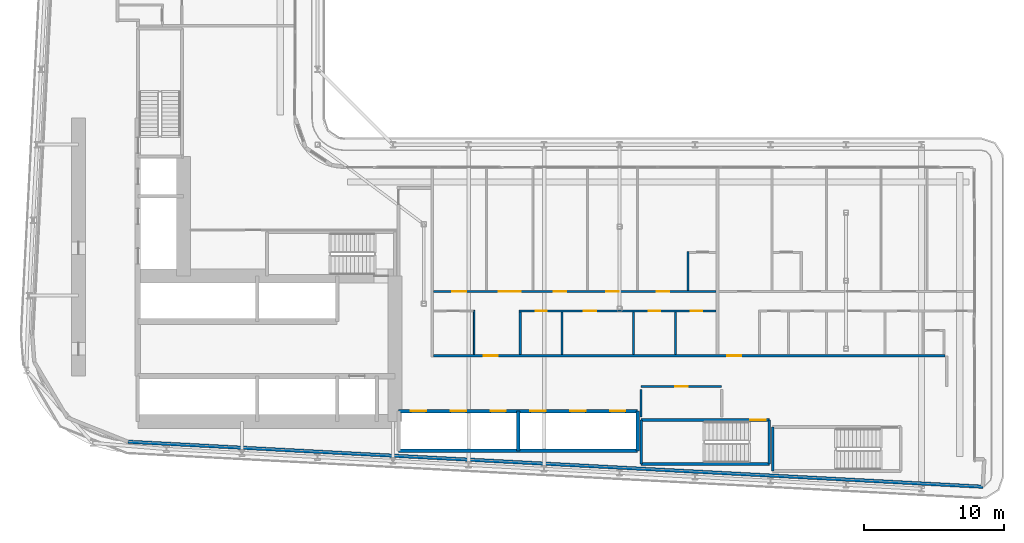
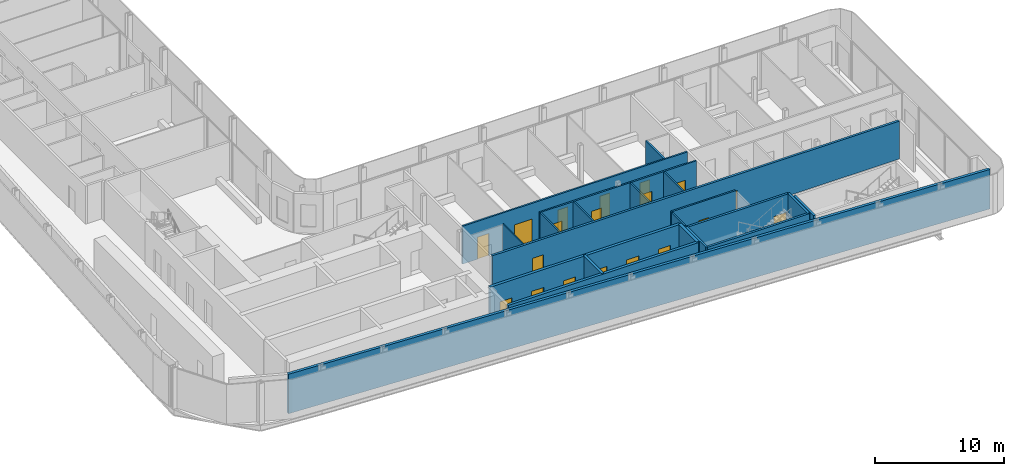
# One storey, part 14 of 27: 21 walls, 19 doors, 19 openings.
"""IFC4 building model written with IfcOpenShell, lengths in metres."""

from ifc_helpers import new_model, si_unit, direction, frame, frame_2d, origin, place, context, subcontext, project, spatial, rectangle, extrude, source, transform, mapped, material, layer, layer_set, type_object, element, fill, save


model = new_model("IFC4")

# Units and contexts
model_context = context("Model", 3, precision=1e-05, world=origin(), true_north=direction((0.0, 1.0)))
body_context = subcontext(model_context, "Body", "Model", "MODEL_VIEW")
ifc_project = project(units=[si_unit("LENGTHUNIT", "METRE"), si_unit("AREAUNIT", "SQUARE_METRE"), si_unit("VOLUMEUNIT", "CUBIC_METRE"), si_unit("PLANEANGLEUNIT", "RADIAN"), si_unit("MASSUNIT", "GRAM", prefix="KILO")], contexts=[model_context])

# Site, building, storey
site_placement = place(None, origin())
site = spatial("IfcSite", under=ifc_project, at=site_placement, CompositionType="ELEMENT")
building_placement = place(site_placement, origin())
building = spatial("IfcBuilding", under=site, at=building_placement, Name="Kheshtan School and Residences Tower", CompositionType="ELEMENT")
storey_placement = place(building_placement, frame((0.0, 0.0, 50.0)))
storey = spatial("IfcBuildingStorey", under=building, at=storey_placement, Name="L11", CompositionType="ELEMENT", Elevation=50.0)

# Wall, openings, doors
ifc_material_1 = material(Name="Gypsum board on steel studs with fire boards", Category="steel")
ifc_layer_1 = layer(ifc_material_1, 0.199951171875)
ifc_layer_set_1 = layer_set([ifc_layer_1], Name="Corridor wall 200")
wall_type_1 = type_object("IfcWallType", Name="Corridor wall 200", PredefinedType="PARTITIONING", material=ifc_layer_set_1)
wall_1_placement = place(storey_placement, frame((55.89990234375, 30.5, 0.0), z_axis=(0.0, 0.0, 1.0), x_axis=(1.0, 0.0, 0.0)))
wall_1 = element("IfcWall", 1, at=wall_1_placement, inside=storey, type_object=wall_type_1, Name="Partition L11-048", PredefinedType="PARTITIONING", context=body_context, shape_type="SweptSolid", body=[
    extrude(rectangle(XDim=36.5751953125, YDim=0.199951171875, at=frame_2d((18.28759765625, 0.0))), origin(), (0.0, 0.0, 1.0), 3.60009765625),
])
opening_1_placement = place(wall_1_placement, frame((3.60009765625, 0.0, 0.0)))
opening_1 = element("IfcOpeningElement", 2, at=opening_1_placement, cuts=wall_1, Name="Opening D10-007", PredefinedType="OPENING", context=body_context, shape_type="SweptSolid", body=[
    extrude(rectangle(XDim=1.0, YDim=2.10009765625, at=frame_2d((0.5, 1.050048828125))), frame((0.0, 0.10986328125, 0.0), z_axis=(0.0, -1.0, 0.0), x_axis=(1.0, 0.0, 0.0)), (0.0, 0.0, 1.0), 0.219970703125),
])
opening_2_placement = place(wall_1_placement, frame((21.0, 0.0, 0.0)))
opening_2 = element("IfcOpeningElement", 3, at=opening_2_placement, cuts=wall_1, Name="Opening D10-018", PredefinedType="OPENING", context=body_context, shape_type="SweptSolid", body=[
    extrude(rectangle(XDim=1.0, YDim=2.10009765625, at=frame_2d((0.5, 1.050048828125))), frame((0.0, 0.10986328125, 0.0), z_axis=(0.0, -1.0, 0.0), x_axis=(1.0, 0.0, 0.0)), (0.0, 0.0, 1.0), 0.219970703125),
])
ifc_material_2 = material(Name="Steel-framed fire-resisting door leaf", Category="steel")
door_type_1 = type_object("IfcDoorType", Name="Fire door FD30S 1000 x 2100", OperationType="SINGLE_SWING_LEFT", PredefinedType="DOOR", material=ifc_material_2)
shared_shape_1 = source(origin(), body_context, "Body", "SweptSolid", [
    extrude(rectangle(XDim=1.0, YDim=2.10009765625, at=frame_2d((0.5, 1.050048828125))), frame((0.0, 0.02490234375, 0.0), z_axis=(0.0, -1.0, 0.0), x_axis=(1.0, 0.0, 0.0)), (0.0, 0.0, 1.0), 0.050048828125),
])
door_1_placement = place(opening_1_placement, origin())
door_1 = element("IfcDoor", 4, at=door_1_placement, inside=storey, type_object=door_type_1, Name="Door D10-007", OperationType="SINGLE_SWING_LEFT", OverallHeight=2.10009765625, OverallWidth=1.0, PredefinedType="DOOR", context=body_context, shape_type="MappedRepresentation", body=[
    mapped(shared_shape_1, transform((0.0, 0.0, 0.0), x_axis=(1.0, 0.0, 0.0), y_axis=(0.0, 1.0, 0.0), z_axis=(0.0, 0.0, 1.0), scale=1.0)),
])
fill(opening_1, door_1)
door_2_placement = place(opening_2_placement, origin())
door_2 = element("IfcDoor", 5, at=door_2_placement, inside=storey, type_object=door_type_1, Name="Door D10-018", OperationType="SINGLE_SWING_LEFT", OverallHeight=2.10009765625, OverallWidth=1.0, PredefinedType="DOOR", context=body_context, shape_type="MappedRepresentation", body=[
    mapped(shared_shape_1, transform((0.0, 0.0, 0.0), x_axis=(1.0, 0.0, 0.0), y_axis=(0.0, 1.0, 0.0), z_axis=(0.0, 0.0, 1.0), scale=1.0)),
])
fill(opening_2, door_2)

# Walls
ifc_material_3 = material(Name="Concrete C40/50 with ceramic cladding and mineral wool insulation", Category="concrete")
ifc_layer_2 = layer(ifc_material_3, 0.25)
ifc_layer_set_2 = layer_set([ifc_layer_2], Name="External wall 250 ceramic clad")
wall_type_2 = type_object("IfcWallType", Name="External wall 250 ceramic clad", PredefinedType="SOLIDWALL", material=ifc_layer_set_2)
wall_2_placement = place(storey_placement, frame((95.18603515625, 21.134033203125, 0.0), z_axis=(0.0, 0.0, 1.0), x_axis=(-0.998617201448, 0.052570761569, 0.0)))
element("IfcWall", 6, at=wall_2_placement, inside=storey, type_object=wall_type_2, Name="External wall L11 16", PredefinedType="SOLIDWALL", context=body_context, shape_type="SweptSolid", body=[
    extrude(rectangle(XDim=61.231689453125, YDim=0.25, at=frame_2d((30.61572265625, 0.0))), origin(), (0.0, 0.0, 1.0), 3.75),
])
ifc_material_4 = material(Name="Gypsum board on steel studs", Category="steel")
ifc_layer_3 = layer(ifc_material_4, 0.10009765625)
ifc_layer_set_3 = layer_set([ifc_layer_3], Name="Gypsum partition 100")
wall_type_3 = type_object("IfcWallType", Name="Gypsum partition 100", PredefinedType="PARTITIONING", material=ifc_layer_set_3)
wall_3_placement = place(storey_placement, frame((58.800048828125, 30.60009765625, 0.0), z_axis=(0.0, 0.0, 1.0), x_axis=(0.0, 1.0, 0.0)))
element("IfcWall", 7, at=wall_3_placement, inside=storey, type_object=wall_type_3, Name="Partition L11-051", PredefinedType="PARTITIONING", context=body_context, shape_type="SweptSolid", body=[
    extrude(rectangle(XDim=3.14990234375, YDim=0.10009765625, at=frame_2d((1.574951171875, 0.0))), origin(), (0.0, 0.0, 1.0), 3.60009765625),
])

# Wall, opening, door
ifc_material_5 = material(Name="Fire-board shaft wall system")
ifc_layer_4 = layer(ifc_material_5, 0.14990234375)
ifc_layer_set_4 = layer_set([ifc_layer_4], Name="Service room wall 150")
wall_type_4 = type_object("IfcWallType", Name="Service room wall 150", PredefinedType="PARTITIONING", material=ifc_layer_set_4)
wall_4_placement = place(storey_placement, frame((70.75, 28.300048828125, 0.0), z_axis=(0.0, 0.0, 1.0), x_axis=(1.0, 0.0, 0.0)))
wall_4 = element("IfcWall", 8, at=wall_4_placement, inside=storey, type_object=wall_type_4, Name="Service room wall", PredefinedType="PARTITIONING", context=body_context, shape_type="SweptSolid", body=[
    extrude(rectangle(XDim=5.760009765625, YDim=0.14990234375, at=frame_2d((2.8798828125, 0.0))), origin(), (0.0, 0.0, 1.0), 3.89990234375),
])
opening_3_placement = place(wall_4_placement, frame((2.429931640625, 0.0, 0.0)))
opening_3 = element("IfcOpeningElement", 9, at=opening_3_placement, cuts=wall_4, Name="Opening SR90", PredefinedType="OPENING", context=body_context, shape_type="SweptSolid", body=[
    extrude(rectangle(XDim=0.89990234375, YDim=2.199951171875, at=frame_2d((0.449951171875, 1.10009765625))), frame((0.0, 0.0849609375, 0.0), z_axis=(0.0, -1.0, 0.0), x_axis=(1.0, 0.0, 0.0)), (0.0, 0.0, 1.0), 0.169921875),
])
ifc_material_6 = material(Name="Steel door leaf, galvanised", Category="steel")
door_type_2 = type_object("IfcDoorType", Name="Service room door 900 steel 90 min", OperationType="SINGLE_SWING_LEFT", PredefinedType="DOOR", material=ifc_material_6)
shared_shape_2 = source(origin(), body_context, "Body", "SweptSolid", [
    extrude(rectangle(XDim=0.89990234375, YDim=2.199951171875, at=frame_2d((0.449951171875, 1.10009765625))), frame((0.0, 0.02490234375, 0.0), z_axis=(0.0, -1.0, 0.0), x_axis=(1.0, 0.0, 0.0)), (0.0, 0.0, 1.0), 0.050048828125),
])
door_3_placement = place(opening_3_placement, origin())
door_3 = element("IfcDoor", 10, at=door_3_placement, inside=storey, type_object=door_type_2, Name="Service room door", OperationType="SINGLE_SWING_LEFT", OverallHeight=2.199951171875, OverallWidth=0.89990234375, PredefinedType="DOOR", context=body_context, shape_type="MappedRepresentation", body=[
    mapped(shared_shape_2, transform((0.0, 0.0, 0.0), x_axis=(1.0, 0.0, 0.0), y_axis=(0.0, 1.0, 0.0), z_axis=(0.0, 0.0, 1.0), scale=1.0)),
])
fill(opening_3, door_3)

# Walls
wall_5_placement = place(storey_placement, frame((70.75, 26.1201171875, 0.0), z_axis=(0.0, 0.0, 1.0), x_axis=(0.0, 1.0, 0.0)))
element("IfcWall", 11, at=wall_5_placement, inside=storey, type_object=wall_type_4, Name="Service room wall", PredefinedType="PARTITIONING", context=body_context, shape_type="SweptSolid", body=[
    extrude(rectangle(XDim=1.98486328125, YDim=0.14990234375, at=frame_2d((0.992431640625, 0.0))), origin(), (0.0, 0.0, 1.0), 3.89990234375),
])
ifc_layer_5 = layer(ifc_material_5, 0.25)
ifc_layer_set_5 = layer_set([ifc_layer_5], Name="Shaft lining wall 250")
wall_type_5 = type_object("IfcWallType", Name="Shaft lining wall 250", PredefinedType="PARTITIONING", material=ifc_layer_set_5)
for number, where, z_axis, x_axis, name in (
    (12, (61.949951171875, 23.699951171875, 0.0), (0.0, 0.0, 1.0), (0.0, 1.0, 0.0), "Shaft lining wall"),
    (13, (70.5, 23.699951171875, 0.0), (0.0, 0.0, 1.0), (0.0, 1.0, 0.0), "Shaft lining wall"),
):
    element("IfcWall", number, at=place(storey_placement, frame(where, z_axis=z_axis, x_axis=x_axis)), inside=storey, type_object=wall_type_5, Name=name, PredefinedType="PARTITIONING", context=body_context, shape_type="SweptSolid", body=[
        extrude(rectangle(XDim=2.85009765625, YDim=0.25, at=frame_2d((1.425048828125, 0.0))), origin(), (0.0, 0.0, 1.0), 3.89990234375),
    ])
wall_6_placement = place(storey_placement, frame((53.39990234375, 23.699951171875, 0.0), z_axis=(0.0, 0.0, 1.0), x_axis=(1.0, 0.0, 0.0)))
element("IfcWall", 14, at=wall_6_placement, inside=storey, type_object=wall_type_5, Name="Shaft lining wall", PredefinedType="PARTITIONING", context=body_context, shape_type="SweptSolid", body=[
    extrude(rectangle(XDim=17.10009765625, YDim=0.25, at=frame_2d((8.550048828125, 0.0))), origin(), (0.0, 0.0, 1.0), 3.89990234375),
])

# Wall, openings, doors
wall_7_placement = place(storey_placement, frame((53.39990234375, 26.550048828125, 0.0), z_axis=(0.0, 0.0, 1.0), x_axis=(1.0, 0.0, 0.0)))
wall_7 = element("IfcWall", 15, at=wall_7_placement, inside=storey, type_object=wall_type_5, Name="Shaft lining wall", PredefinedType="PARTITIONING", context=body_context, shape_type="SweptSolid", body=[
    extrude(rectangle(XDim=17.10009765625, YDim=0.25, at=frame_2d((8.550048828125, 0.0))), origin(), (0.0, 0.0, 1.0), 3.89990234375),
])
opening_4_placement = place(wall_7_placement, frame((0.875, 0.0, 0.0)))
opening_4 = element("IfcOpeningElement", 16, at=opening_4_placement, cuts=wall_7, Name="Opening LD", PredefinedType="OPENING", context=body_context, shape_type="SweptSolid", body=[
    extrude(rectangle(XDim=1.10009765625, YDim=2.199951171875, at=frame_2d((0.550048828125, 1.10009765625))), frame((0.0, 0.135009765625, 0.0), z_axis=(0.0, -1.0, 0.0), x_axis=(1.0, 0.0, 0.0)), (0.0, 0.0, 1.0), 0.27001953125),
])
opening_5_placement = place(wall_7_placement, frame((3.72509765625, 0.0, 0.0)))
opening_5 = element("IfcOpeningElement", 17, at=opening_5_placement, cuts=wall_7, Name="Opening LD", PredefinedType="OPENING", context=body_context, shape_type="SweptSolid", body=[
    extrude(rectangle(XDim=1.10009765625, YDim=2.199951171875, at=frame_2d((0.550048828125, 1.10009765625))), frame((0.0, 0.135009765625, 0.0), z_axis=(0.0, -1.0, 0.0), x_axis=(1.0, 0.0, 0.0)), (0.0, 0.0, 1.0), 0.27001953125),
])
opening_6_placement = place(wall_7_placement, frame((6.574951171875, 0.0, 0.0)))
opening_6 = element("IfcOpeningElement", 18, at=opening_6_placement, cuts=wall_7, Name="Opening LD", PredefinedType="OPENING", context=body_context, shape_type="SweptSolid", body=[
    extrude(rectangle(XDim=1.10009765625, YDim=2.199951171875, at=frame_2d((0.550048828125, 1.10009765625))), frame((0.0, 0.135009765625, 0.0), z_axis=(0.0, -1.0, 0.0), x_axis=(1.0, 0.0, 0.0)), (0.0, 0.0, 1.0), 0.27001953125),
])
opening_7_placement = place(wall_7_placement, frame((9.425048828125, 0.0, 0.0)))
opening_7 = element("IfcOpeningElement", 19, at=opening_7_placement, cuts=wall_7, Name="Opening LD", PredefinedType="OPENING", context=body_context, shape_type="SweptSolid", body=[
    extrude(rectangle(XDim=1.10009765625, YDim=2.199951171875, at=frame_2d((0.550048828125, 1.10009765625))), frame((0.0, 0.135009765625, 0.0), z_axis=(0.0, -1.0, 0.0), x_axis=(1.0, 0.0, 0.0)), (0.0, 0.0, 1.0), 0.27001953125),
])
opening_8_placement = place(wall_7_placement, frame((12.27490234375, 0.0, 0.0)))
opening_8 = element("IfcOpeningElement", 20, at=opening_8_placement, cuts=wall_7, Name="Opening LD", PredefinedType="OPENING", context=body_context, shape_type="SweptSolid", body=[
    extrude(rectangle(XDim=1.10009765625, YDim=2.199951171875, at=frame_2d((0.550048828125, 1.10009765625))), frame((0.0, 0.135009765625, 0.0), z_axis=(0.0, -1.0, 0.0), x_axis=(1.0, 0.0, 0.0)), (0.0, 0.0, 1.0), 0.27001953125),
])
opening_9_placement = place(wall_7_placement, frame((15.125, 0.0, 0.0)))
opening_9 = element("IfcOpeningElement", 21, at=opening_9_placement, cuts=wall_7, Name="Opening LD", PredefinedType="OPENING", context=body_context, shape_type="SweptSolid", body=[
    extrude(rectangle(XDim=1.10009765625, YDim=2.199951171875, at=frame_2d((0.550048828125, 1.10009765625))), frame((0.0, 0.135009765625, 0.0), z_axis=(0.0, -1.0, 0.0), x_axis=(1.0, 0.0, 0.0)), (0.0, 0.0, 1.0), 0.27001953125),
])
ifc_material_7 = material(Name="Stainless steel door leaves", Category="steel")
door_type_3 = type_object("IfcDoorType", Name="Lift landing door 1100", OperationType="SLIDING_TO_LEFT", PredefinedType="DOOR", material=ifc_material_7)
shared_shape_3 = source(origin(), body_context, "Body", "SweptSolid", [
    extrude(rectangle(XDim=1.10009765625, YDim=2.199951171875, at=frame_2d((0.550048828125, 1.10009765625))), frame((0.0, 0.02490234375, 0.0), z_axis=(0.0, -1.0, 0.0), x_axis=(1.0, 0.0, 0.0)), (0.0, 0.0, 1.0), 0.050048828125),
])
door_4_placement = place(opening_4_placement, origin())
door_4 = element("IfcDoor", 22, at=door_4_placement, inside=storey, type_object=door_type_3, Name="Lift P1 landing door", OperationType="SLIDING_TO_LEFT", OverallHeight=2.199951171875, OverallWidth=1.10009765625, PredefinedType="DOOR", context=body_context, shape_type="MappedRepresentation", body=[
    mapped(shared_shape_3, transform((0.0, 0.0, 0.0), x_axis=(1.0, 0.0, 0.0), y_axis=(0.0, 1.0, 0.0), z_axis=(0.0, 0.0, 1.0), scale=1.0)),
])
fill(opening_4, door_4)
door_5_placement = place(opening_5_placement, origin())
door_5 = element("IfcDoor", 23, at=door_5_placement, inside=storey, type_object=door_type_3, Name="Lift P2 landing door", OperationType="SLIDING_TO_LEFT", OverallHeight=2.199951171875, OverallWidth=1.10009765625, PredefinedType="DOOR", context=body_context, shape_type="MappedRepresentation", body=[
    mapped(shared_shape_3, transform((0.0, 0.0, 0.0), x_axis=(1.0, 0.0, 0.0), y_axis=(0.0, 1.0, 0.0), z_axis=(0.0, 0.0, 1.0), scale=1.0)),
])
fill(opening_5, door_5)
door_6_placement = place(opening_6_placement, origin())
door_6 = element("IfcDoor", 24, at=door_6_placement, inside=storey, type_object=door_type_3, Name="Lift P3 landing door", OperationType="SLIDING_TO_LEFT", OverallHeight=2.199951171875, OverallWidth=1.10009765625, PredefinedType="DOOR", context=body_context, shape_type="MappedRepresentation", body=[
    mapped(shared_shape_3, transform((0.0, 0.0, 0.0), x_axis=(1.0, 0.0, 0.0), y_axis=(0.0, 1.0, 0.0), z_axis=(0.0, 0.0, 1.0), scale=1.0)),
])
fill(opening_6, door_6)
door_7_placement = place(opening_7_placement, origin())
door_7 = element("IfcDoor", 25, at=door_7_placement, inside=storey, type_object=door_type_3, Name="Lift P4 landing door", OperationType="SLIDING_TO_LEFT", OverallHeight=2.199951171875, OverallWidth=1.10009765625, PredefinedType="DOOR", context=body_context, shape_type="MappedRepresentation", body=[
    mapped(shared_shape_3, transform((0.0, 0.0, 0.0), x_axis=(1.0, 0.0, 0.0), y_axis=(0.0, 1.0, 0.0), z_axis=(0.0, 0.0, 1.0), scale=1.0)),
])
fill(opening_7, door_7)
door_8_placement = place(opening_8_placement, origin())
door_8 = element("IfcDoor", 26, at=door_8_placement, inside=storey, type_object=door_type_3, Name="Lift P5 landing door", OperationType="SLIDING_TO_LEFT", OverallHeight=2.199951171875, OverallWidth=1.10009765625, PredefinedType="DOOR", context=body_context, shape_type="MappedRepresentation", body=[
    mapped(shared_shape_3, transform((0.0, 0.0, 0.0), x_axis=(1.0, 0.0, 0.0), y_axis=(0.0, 1.0, 0.0), z_axis=(0.0, 0.0, 1.0), scale=1.0)),
])
fill(opening_8, door_8)
door_9_placement = place(opening_9_placement, origin())
door_9 = element("IfcDoor", 27, at=door_9_placement, inside=storey, type_object=door_type_3, Name="Lift P6 landing door", OperationType="SLIDING_TO_LEFT", OverallHeight=2.199951171875, OverallWidth=1.10009765625, PredefinedType="DOOR", context=body_context, shape_type="MappedRepresentation", body=[
    mapped(shared_shape_3, transform((0.0, 0.0, 0.0), x_axis=(1.0, 0.0, 0.0), y_axis=(0.0, 1.0, 0.0), z_axis=(0.0, 0.0, 1.0), scale=1.0)),
])
fill(opening_9, door_9)

# Walls
ifc_material_8 = material(Name="Concrete C40/50", Category="concrete")
ifc_layer_6 = layer(ifc_material_8, 0.199951171875)
ifc_layer_set_6 = layer_set([ifc_layer_6], Name="Stair enclosure wall 200 Concrete C40/50")
wall_type_6 = type_object("IfcWallType", Name="Stair enclosure wall 200 Concrete C40/50", PredefinedType="SHEAR", material=ifc_layer_set_6)
wall_8_placement = place(storey_placement, frame((80.159912109375, 22.25, 0.0), z_axis=(0.0, 0.0, 1.0), x_axis=(0.0, 1.0, 0.0)))
element("IfcWall", 28, at=wall_8_placement, inside=storey, type_object=wall_type_6, Name="Stair enclosure wall ST4", PredefinedType="SHEAR", context=body_context, shape_type="SweptSolid", body=[
    extrude(rectangle(XDim=3.14990234375, YDim=0.199951171875, at=frame_2d((1.574951171875, 0.0))), origin(), (0.0, 0.0, 1.0), 3.89990234375),
])
wall_9_placement = place(storey_placement, frame((70.75, 22.75, 0.0), z_axis=(0.0, 0.0, 1.0), x_axis=(1.0, 0.0, 0.0)))
element("IfcWall", 29, at=wall_9_placement, inside=storey, type_object=wall_type_6, Name="Stair enclosure wall ST5", PredefinedType="SHEAR", context=body_context, shape_type="SweptSolid", body=[
    extrude(rectangle(XDim=9.159912109375, YDim=0.199951171875, at=frame_2d((4.580078125, 0.0))), origin(), (0.0, 0.0, 1.0), 3.89990234375),
])

# Wall, opening, door
wall_10_placement = place(storey_placement, frame((70.75, 25.89990234375, 0.0), z_axis=(0.0, 0.0, 1.0), x_axis=(1.0, 0.0, 0.0)))
wall_10 = element("IfcWall", 30, at=wall_10_placement, inside=storey, type_object=wall_type_6, Name="Stair enclosure wall ST5", PredefinedType="SHEAR", context=body_context, shape_type="SweptSolid", body=[
    extrude(rectangle(XDim=9.159912109375, YDim=0.199951171875, at=frame_2d((4.580078125, 0.0))), origin(), (0.0, 0.0, 1.0), 3.89990234375),
])
opening_10_placement = place(wall_10_placement, frame((7.81005859375, 0.0, 0.0)))
opening_10 = element("IfcOpeningElement", 31, at=opening_10_placement, cuts=wall_10, Name="Opening ST5D", PredefinedType="OPENING", context=body_context, shape_type="SweptSolid", body=[
    extrude(rectangle(XDim=1.10009765625, YDim=2.199951171875, at=frame_2d((0.550048828125, 1.10009765625))), frame((0.0, 0.10986328125, 0.0), z_axis=(0.0, -1.0, 0.0), x_axis=(1.0, 0.0, 0.0)), (0.0, 0.0, 1.0), 0.219970703125),
])
door_type_4 = type_object("IfcDoorType", Name="Stair door 1100 steel 90 min", OperationType="SINGLE_SWING_LEFT", PredefinedType="DOOR", material=ifc_material_6)
shared_shape_4 = source(origin(), body_context, "Body", "SweptSolid", [
    extrude(rectangle(XDim=1.10009765625, YDim=2.199951171875, at=frame_2d((0.550048828125, 1.10009765625))), frame((0.0, 0.02490234375, 0.0), z_axis=(0.0, -1.0, 0.0), x_axis=(1.0, 0.0, 0.0)), (0.0, 0.0, 1.0), 0.050048828125),
])
door_10_placement = place(opening_10_placement, origin())
door_10 = element("IfcDoor", 32, at=door_10_placement, inside=storey, type_object=door_type_4, Name="Stair ST5 door", OperationType="SINGLE_SWING_LEFT", OverallHeight=2.199951171875, OverallWidth=1.10009765625, PredefinedType="DOOR", context=body_context, shape_type="MappedRepresentation", body=[
    mapped(shared_shape_4, transform((0.0, 0.0, 0.0), x_axis=(1.0, 0.0, 0.0), y_axis=(0.0, 1.0, 0.0), z_axis=(0.0, 0.0, 1.0), scale=1.0)),
])
fill(opening_10, door_10)

# Walls
for number, where, z_axis, x_axis, name in (
    (33, (70.75, 22.75, 0.0), (0.0, 0.0, 1.0), (0.0, 1.0, 0.0), "Stair enclosure wall ST5"),
    (34, (79.909912109375, 22.75, 0.0), (0.0, 0.0, 1.0), (0.0, 1.0, 0.0), "Stair enclosure wall ST5"),
):
    element("IfcWall", number, at=place(storey_placement, frame(where, z_axis=z_axis, x_axis=x_axis)), inside=storey, type_object=wall_type_6, Name=name, PredefinedType="SHEAR", context=body_context, shape_type="SweptSolid", body=[
        extrude(rectangle(XDim=3.14990234375, YDim=0.199951171875, at=frame_2d((1.574951171875, 0.0))), origin(), (0.0, 0.0, 1.0), 3.89990234375),
    ])

# Wall, openings, doors
ifc_material_9 = material(Name="Moisture-resistant gypsum board on steel studs", Category="steel")
ifc_layer_7 = layer(ifc_material_9, 0.14990234375)
ifc_layer_set_7 = layer_set([ifc_layer_7], Name="Wet-room partition 150")
wall_type_7 = type_object("IfcWallType", Name="Wet-room partition 150", PredefinedType="PARTITIONING", material=ifc_layer_set_7)
wall_11_placement = place(storey_placement, frame((55.89990234375, 35.10009765625, 0.0), z_axis=(0.0, 0.0, 1.0), x_axis=(1.0, 0.0, 0.0)))
wall_11 = element("IfcWall", 35, at=wall_11_placement, inside=storey, type_object=wall_type_7, Name="Partition L11-050", PredefinedType="PARTITIONING", context=body_context, shape_type="SweptSolid", body=[
    extrude(rectangle(XDim=20.2001953125, YDim=0.14990234375, at=frame_2d((10.10009765625, 0.0))), origin(), (0.0, 0.0, 1.0), 3.60009765625),
])
opening_11_placement = place(wall_11_placement, frame((8.60009765625, 0.0, 0.0)))
opening_11 = element("IfcOpeningElement", 36, at=opening_11_placement, cuts=wall_11, Name="Opening D10-003", PredefinedType="OPENING", context=body_context, shape_type="SweptSolid", body=[
    extrude(rectangle(XDim=0.89990234375, YDim=2.10009765625, at=frame_2d((0.449951171875, 1.050048828125))), frame((0.0, 0.0849609375, 0.0), z_axis=(0.0, -1.0, 0.0), x_axis=(1.0, 0.0, 0.0)), (0.0, 0.0, 1.0), 0.169921875),
])
opening_12_placement = place(wall_11_placement, frame((12.35009765625, 0.0, 0.0)))
opening_12 = element("IfcOpeningElement", 37, at=opening_12_placement, cuts=wall_11, Name="Opening D10-004", PredefinedType="OPENING", context=body_context, shape_type="SweptSolid", body=[
    extrude(rectangle(XDim=0.89990234375, YDim=2.10009765625, at=frame_2d((0.449951171875, 1.050048828125))), frame((0.0, 0.0849609375, 0.0), z_axis=(0.0, -1.0, 0.0), x_axis=(1.0, 0.0, 0.0)), (0.0, 0.0, 1.0), 0.169921875),
])
opening_13_placement = place(wall_11_placement, frame((1.35009765625, 0.0, 0.0)))
opening_13 = element("IfcOpeningElement", 38, at=opening_13_placement, cuts=wall_11, Name="Opening D10-009", PredefinedType="OPENING", context=body_context, shape_type="SweptSolid", body=[
    extrude(rectangle(XDim=1.0, YDim=2.10009765625, at=frame_2d((0.5, 1.050048828125))), frame((0.0, 0.0849609375, 0.0), z_axis=(0.0, -1.0, 0.0), x_axis=(1.0, 0.0, 0.0)), (0.0, 0.0, 1.0), 0.169921875),
])
opening_14_placement = place(wall_11_placement, frame((4.64990234375, 0.0, 0.0)))
opening_14 = element("IfcOpeningElement", 39, at=opening_14_placement, cuts=wall_11, Name="Opening D10-010", PredefinedType="OPENING", context=body_context, shape_type="SweptSolid", body=[
    extrude(rectangle(XDim=1.60009765625, YDim=2.10009765625, at=frame_2d((0.800048828125, 1.050048828125))), frame((0.0, 0.0849609375, 0.0), z_axis=(0.0, -1.0, 0.0), x_axis=(1.0, 0.0, 0.0)), (0.0, 0.0, 1.0), 0.169921875),
])
opening_15_placement = place(wall_11_placement, frame((15.949951171875, 0.0, 0.0)))
opening_15 = element("IfcOpeningElement", 40, at=opening_15_placement, cuts=wall_11, Name="Opening D10-011", PredefinedType="OPENING", context=body_context, shape_type="SweptSolid", body=[
    extrude(rectangle(XDim=0.89990234375, YDim=2.10009765625, at=frame_2d((0.449951171875, 1.050048828125))), frame((0.0, 0.0849609375, 0.0), z_axis=(0.0, -1.0, 0.0), x_axis=(1.0, 0.0, 0.0)), (0.0, 0.0, 1.0), 0.169921875),
])
ifc_material_10 = material(Name="Veneered timber door leaf", Category="wood")
door_type_5 = type_object("IfcDoorType", Name="Door 1000 x 2100", OperationType="SINGLE_SWING_LEFT", PredefinedType="DOOR", material=ifc_material_10)
shared_shape_5 = source(origin(), body_context, "Body", "SweptSolid", [
    extrude(rectangle(XDim=1.0, YDim=2.10009765625, at=frame_2d((0.5, 1.050048828125))), frame((0.0, 0.02490234375, 0.0), z_axis=(0.0, -1.0, 0.0), x_axis=(1.0, 0.0, 0.0)), (0.0, 0.0, 1.0), 0.050048828125),
])
door_11_placement = place(opening_13_placement, origin())
door_11 = element("IfcDoor", 41, at=door_11_placement, inside=storey, type_object=door_type_5, Name="Door D10-009", OperationType="SINGLE_SWING_LEFT", OverallHeight=2.10009765625, OverallWidth=1.0, PredefinedType="DOOR", context=body_context, shape_type="MappedRepresentation", body=[
    mapped(shared_shape_5, transform((0.0, 0.0, 0.0), x_axis=(1.0, 0.0, 0.0), y_axis=(0.0, 1.0, 0.0), z_axis=(0.0, 0.0, 1.0), scale=1.0)),
])
fill(opening_13, door_11)
door_type_6 = type_object("IfcDoorType", Name="Door 900 x 2100", OperationType="SINGLE_SWING_LEFT", PredefinedType="DOOR", material=ifc_material_10)
shared_shape_6 = source(origin(), body_context, "Body", "SweptSolid", [
    extrude(rectangle(XDim=0.89990234375, YDim=2.10009765625, at=frame_2d((0.449951171875, 1.050048828125))), frame((0.0, 0.02490234375, 0.0), z_axis=(0.0, -1.0, 0.0), x_axis=(1.0, 0.0, 0.0)), (0.0, 0.0, 1.0), 0.050048828125),
])
door_12_placement = place(opening_11_placement, origin())
door_12 = element("IfcDoor", 42, at=door_12_placement, inside=storey, type_object=door_type_6, Name="Door D10-003", OperationType="SINGLE_SWING_RIGHT", OverallHeight=2.10009765625, OverallWidth=0.89990234375, PredefinedType="DOOR", context=body_context, shape_type="MappedRepresentation", body=[
    mapped(shared_shape_6, transform((0.0, 0.0, 0.0), x_axis=(1.0, 0.0, 0.0), y_axis=(0.0, 1.0, 0.0), z_axis=(0.0, 0.0, 1.0), scale=1.0)),
])
fill(opening_11, door_12)
door_13_placement = place(opening_12_placement, origin())
door_13 = element("IfcDoor", 43, at=door_13_placement, inside=storey, type_object=door_type_6, Name="Door D10-004", OperationType="SINGLE_SWING_RIGHT", OverallHeight=2.10009765625, OverallWidth=0.89990234375, PredefinedType="DOOR", context=body_context, shape_type="MappedRepresentation", body=[
    mapped(shared_shape_6, transform((0.0, 0.0, 0.0), x_axis=(1.0, 0.0, 0.0), y_axis=(0.0, 1.0, 0.0), z_axis=(0.0, 0.0, 1.0), scale=1.0)),
])
fill(opening_12, door_13)
door_14_placement = place(opening_15_placement, origin())
door_14 = element("IfcDoor", 44, at=door_14_placement, inside=storey, type_object=door_type_6, Name="Door D10-011", OperationType="SINGLE_SWING_LEFT", OverallHeight=2.10009765625, OverallWidth=0.89990234375, PredefinedType="DOOR", context=body_context, shape_type="MappedRepresentation", body=[
    mapped(shared_shape_6, transform((0.0, 0.0, 0.0), x_axis=(1.0, 0.0, 0.0), y_axis=(0.0, 1.0, 0.0), z_axis=(0.0, 0.0, 1.0), scale=1.0)),
])
fill(opening_15, door_14)
door_type_7 = type_object("IfcDoorType", Name="Double door 1600 x 2100", OperationType="DOUBLE_DOOR_SINGLE_SWING", PredefinedType="DOOR", material=ifc_material_10)
shared_shape_7 = source(origin(), body_context, "Body", "SweptSolid", [
    extrude(rectangle(XDim=1.60009765625, YDim=2.10009765625, at=frame_2d((0.800048828125, 1.050048828125))), frame((0.0, 0.02490234375, 0.0), z_axis=(0.0, -1.0, 0.0), x_axis=(1.0, 0.0, 0.0)), (0.0, 0.0, 1.0), 0.050048828125),
])
door_15_placement = place(opening_14_placement, origin())
door_15 = element("IfcDoor", 45, at=door_15_placement, inside=storey, type_object=door_type_7, Name="Door D10-010", OperationType="DOUBLE_DOOR_SINGLE_SWING", OverallHeight=2.10009765625, OverallWidth=1.60009765625, PredefinedType="DOOR", context=body_context, shape_type="MappedRepresentation", body=[
    mapped(shared_shape_7, transform((0.0, 0.0, 0.0), x_axis=(1.0, 0.0, 0.0), y_axis=(0.0, 1.0, 0.0), z_axis=(0.0, 0.0, 1.0), scale=1.0)),
])
fill(opening_14, door_15)

wall_12_placement = place(storey_placement, frame((62.02490234375, 33.699951171875, 0.0), z_axis=(0.0, 0.0, 1.0), x_axis=(1.0, 0.0, 0.0)))
wall_12 = element("IfcWall", 46, at=wall_12_placement, inside=storey, type_object=wall_type_7, Name="Partition L11-053", PredefinedType="PARTITIONING", context=body_context, shape_type="SweptSolid", body=[
    extrude(rectangle(XDim=14.0751953125, YDim=0.14990234375, at=frame_2d((7.03759765625, 0.0))), origin(), (0.0, 0.0, 1.0), 3.60009765625),
])
opening_16_placement = place(wall_12_placement, frame((1.175048828125, 0.0, 0.0)))
opening_16 = element("IfcOpeningElement", 47, at=opening_16_placement, cuts=wall_12, Name="Opening D10-001", PredefinedType="OPENING", context=body_context, shape_type="SweptSolid", body=[
    extrude(rectangle(XDim=0.800048828125, YDim=2.10009765625, at=frame_2d((0.39990234375, 1.050048828125))), frame((0.0, 0.0849609375, 0.0), z_axis=(0.0, -1.0, 0.0), x_axis=(1.0, 0.0, 0.0)), (0.0, 0.0, 1.0), 0.169921875),
])
opening_17_placement = place(wall_12_placement, frame((9.27490234375, 0.0, 0.0)))
opening_17 = element("IfcOpeningElement", 48, at=opening_17_placement, cuts=wall_12, Name="Opening D10-002", PredefinedType="OPENING", context=body_context, shape_type="SweptSolid", body=[
    extrude(rectangle(XDim=0.800048828125, YDim=2.10009765625, at=frame_2d((0.39990234375, 1.050048828125))), frame((0.0, 0.0849609375, 0.0), z_axis=(0.0, -1.0, 0.0), x_axis=(1.0, 0.0, 0.0)), (0.0, 0.0, 1.0), 0.169921875),
])
opening_18_placement = place(wall_12_placement, frame((4.625, 0.0, 0.0)))
opening_18 = element("IfcOpeningElement", 49, at=opening_18_placement, cuts=wall_12, Name="Opening D10-008", PredefinedType="OPENING", context=body_context, shape_type="SweptSolid", body=[
    extrude(rectangle(XDim=0.89990234375, YDim=2.10009765625, at=frame_2d((0.449951171875, 1.050048828125))), frame((0.0, 0.0849609375, 0.0), z_axis=(0.0, -1.0, 0.0), x_axis=(1.0, 0.0, 0.0)), (0.0, 0.0, 1.0), 0.169921875),
])
opening_19_placement = place(wall_12_placement, frame((12.27490234375, 0.0, 0.0)))
opening_19 = element("IfcOpeningElement", 50, at=opening_19_placement, cuts=wall_12, Name="Opening D10-012", PredefinedType="OPENING", context=body_context, shape_type="SweptSolid", body=[
    extrude(rectangle(XDim=0.800048828125, YDim=2.10009765625, at=frame_2d((0.39990234375, 1.050048828125))), frame((0.0, 0.0849609375, 0.0), z_axis=(0.0, -1.0, 0.0), x_axis=(1.0, 0.0, 0.0)), (0.0, 0.0, 1.0), 0.169921875),
])
door_type_8 = type_object("IfcDoorType", Name="Door 800 x 2100", OperationType="SINGLE_SWING_LEFT", PredefinedType="DOOR", material=ifc_material_10)
shared_shape_8 = source(origin(), body_context, "Body", "SweptSolid", [
    extrude(rectangle(XDim=0.800048828125, YDim=2.10009765625, at=frame_2d((0.39990234375, 1.050048828125))), frame((0.0, 0.02490234375, 0.0), z_axis=(0.0, -1.0, 0.0), x_axis=(1.0, 0.0, 0.0)), (0.0, 0.0, 1.0), 0.050048828125),
])
door_16_placement = place(opening_16_placement, origin())
door_16 = element("IfcDoor", 51, at=door_16_placement, inside=storey, type_object=door_type_8, Name="Door D10-001", OperationType="SINGLE_SWING_LEFT", OverallHeight=2.10009765625, OverallWidth=0.800048828125, PredefinedType="DOOR", context=body_context, shape_type="MappedRepresentation", body=[
    mapped(shared_shape_8, transform((0.0, 0.0, 0.0), x_axis=(1.0, 0.0, 0.0), y_axis=(0.0, 1.0, 0.0), z_axis=(0.0, 0.0, 1.0), scale=1.0)),
])
fill(opening_16, door_16)
door_17_placement = place(opening_17_placement, origin())
door_17 = element("IfcDoor", 52, at=door_17_placement, inside=storey, type_object=door_type_8, Name="Door D10-002", OperationType="SINGLE_SWING_RIGHT", OverallHeight=2.10009765625, OverallWidth=0.800048828125, PredefinedType="DOOR", context=body_context, shape_type="MappedRepresentation", body=[
    mapped(shared_shape_8, transform((0.0, 0.0, 0.0), x_axis=(1.0, 0.0, 0.0), y_axis=(0.0, 1.0, 0.0), z_axis=(0.0, 0.0, 1.0), scale=1.0)),
])
fill(opening_17, door_17)
door_18_placement = place(opening_19_placement, origin())
door_18 = element("IfcDoor", 53, at=door_18_placement, inside=storey, type_object=door_type_8, Name="Door D10-012", OperationType="SINGLE_SWING_RIGHT", OverallHeight=2.10009765625, OverallWidth=0.800048828125, PredefinedType="DOOR", context=body_context, shape_type="MappedRepresentation", body=[
    mapped(shared_shape_8, transform((0.0, 0.0, 0.0), x_axis=(1.0, 0.0, 0.0), y_axis=(0.0, 1.0, 0.0), z_axis=(0.0, 0.0, 1.0), scale=1.0)),
])
fill(opening_19, door_18)
door_19_placement = place(opening_18_placement, origin())
door_19 = element("IfcDoor", 54, at=door_19_placement, inside=storey, type_object=door_type_6, Name="Door D10-008", OperationType="SINGLE_SWING_LEFT", OverallHeight=2.10009765625, OverallWidth=0.89990234375, PredefinedType="DOOR", context=body_context, shape_type="MappedRepresentation", body=[
    mapped(shared_shape_6, transform((0.0, 0.0, 0.0), x_axis=(1.0, 0.0, 0.0), y_axis=(0.0, 1.0, 0.0), z_axis=(0.0, 0.0, 1.0), scale=1.0)),
])
fill(opening_18, door_19)

# Walls
for number, where, z_axis, x_axis, name in (
    (55, (62.10009765625, 30.60009765625, 0.0), (0.0, 0.0, 1.0), (0.0, 1.0, 0.0), "Partition L11-054"),
    (56, (65.10009765625, 30.60009765625, 0.0), (0.0, 0.0, 1.0), (0.0, 1.0, 0.0), "Partition L11-056"),
    (57, (70.199951171875, 30.60009765625, 0.0), (0.0, 0.0, 1.0), (0.0, 1.0, 0.0), "Partition L11-058"),
    (58, (73.199951171875, 30.60009765625, 0.0), (0.0, 0.0, 1.0), (0.0, 1.0, 0.0), "Partition L11-060"),
):
    element("IfcWall", number, at=place(storey_placement, frame(where, z_axis=z_axis, x_axis=x_axis)), inside=storey, type_object=wall_type_7, Name=name, PredefinedType="PARTITIONING", context=body_context, shape_type="SweptSolid", body=[
        extrude(rectangle(XDim=3.02490234375, YDim=0.14990234375, at=frame_2d((1.512451171875, 0.0))), origin(), (0.0, 0.0, 1.0), 3.60009765625),
    ])
wall_13_placement = place(storey_placement, frame((74.10009765625, 35.175048828125, 0.0), z_axis=(0.0, 0.0, 1.0), x_axis=(0.0, 1.0, 0.0)))
element("IfcWall", 59, at=wall_13_placement, inside=storey, type_object=wall_type_7, Name="Partition L11-061", PredefinedType="PARTITIONING", context=body_context, shape_type="SweptSolid", body=[
    extrude(rectangle(XDim=2.800048828125, YDim=0.14990234375, at=frame_2d((1.39990234375, 0.0))), origin(), (0.0, 0.0, 1.0), 3.60009765625),
])

save(model, "model.ifc")
